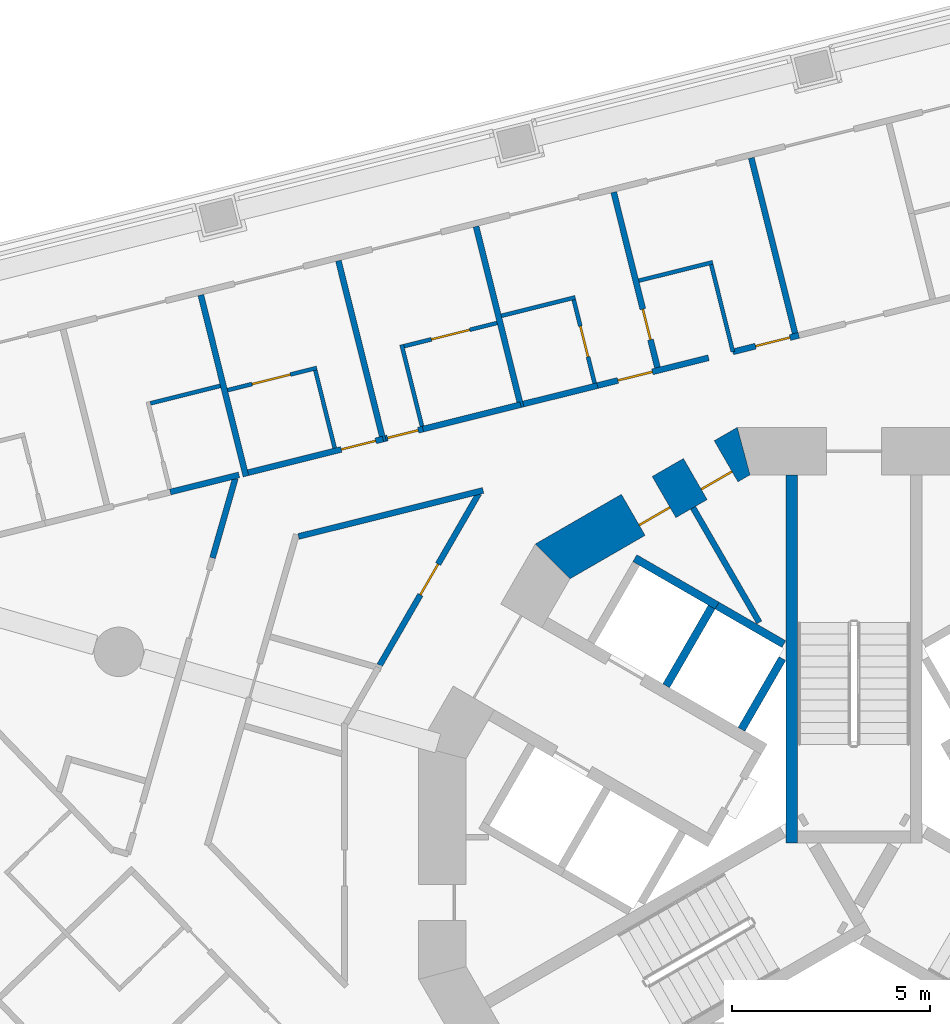
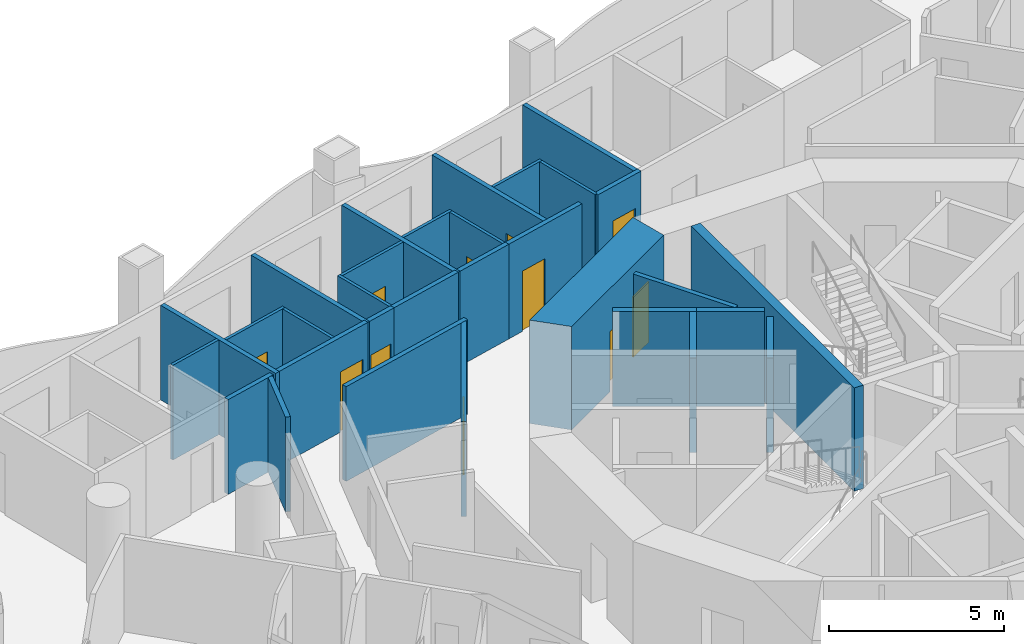
# One storey, part 8 of 20: 31 walls, 11 doors, 11 openings.
"""IFC4 building model written with IfcOpenShell, lengths in metres."""

import ifcopenshell
import ifcopenshell.guid

model = None  # the IFC model being written
_history = None  # IfcOwnerHistory: only IFC2X3 demands one
_inside = {}  # id of a spatial element -> (the spatial element, [elements in it])
_under = {}  # id of a project, library or spatial element -> (it, [spatial elements below it])
_declared = {}  # id of a project -> (the project, [libraries it declares])
_typed = {}  # id of a type object -> (the type object, [elements of that type])
_made_of = {}  # id of a material, layer set ... -> (it, [elements and type objects made of it])


def new_model(schema):
    """Start an empty IFC model of exactly this schema.

    Asked for "IFC4X3", IfcOpenShell would pick the latest addendum, in which some entities
    have other attributes; the version numbers below select the first issue.
    IFC2X3 requires an IfcOwnerHistory on every rooted entity: one is made here for all.
    """
    global model, _history
    if schema == "IFC4X3":
        model = ifcopenshell.file(schema_version=(4, 3, 0, 0))
    else:
        model = ifcopenshell.file(schema=schema)
    _inside.clear()
    _under.clear()
    _declared.clear()
    _typed.clear()
    _made_of.clear()
    _history = None
    if model.schema == "IFC2X3":
        org = make("IfcOrganization", Name="unknown")
        user = make(
            "IfcPersonAndOrganization",
            ThePerson=make("IfcPerson", FamilyName="unknown"),
            TheOrganization=org,
        )
        app = make(
            "IfcApplication",
            ApplicationDeveloper=org,
            Version="unknown",
            ApplicationFullName="unknown",
            ApplicationIdentifier="unknown",
        )
        _history = make(
            "IfcOwnerHistory",
            OwningUser=user,
            OwningApplication=app,
            ChangeAction="ADDED",
            CreationDate=0,
        )
    return model


def make(cls, **values):
    """One entity of the class cls with the attributes given. An attribute that is None is left unset."""
    return model.create_entity(
        cls, **{name: value for name, value in values.items() if value is not None}
    )


def rooted(cls, **values):
    """An entity with a GlobalId (a new one), such as an element, a storey or a relation."""
    return make(cls, GlobalId=ifcopenshell.guid.new(), OwnerHistory=_history, **values)


def si_unit(unit_type, name, prefix=None):
    """IfcSIUnit, for example si_unit("LENGTHUNIT", "METRE", prefix="MILLI")."""
    return make("IfcSIUnit", UnitType=unit_type, Prefix=prefix, Name=name)


def assignment(units):
    """IfcUnitAssignment: the units of a project."""
    return None if units is None else make("IfcUnitAssignment", Units=units)


def point(xyz):
    """IfcCartesianPoint."""
    return None if xyz is None else make("IfcCartesianPoint", Coordinates=xyz)


def direction(xyz):
    """IfcDirection."""
    return None if xyz is None else make("IfcDirection", DirectionRatios=xyz)


def frame(location, z_axis=None, x_axis=None):
    """IfcAxis2Placement3D, a coordinate frame: its origin and axes. An axis left out is left unset."""
    return make(
        "IfcAxis2Placement3D",
        Location=point(location),
        Axis=direction(z_axis),
        RefDirection=direction(x_axis),
    )


def frame_2d(location, x_axis=None):
    """IfcAxis2Placement2D, a coordinate frame in the plane: its origin and x axis."""
    return make(
        "IfcAxis2Placement2D", Location=point(location), RefDirection=direction(x_axis)
    )


def origin():
    """The frame at (0, 0, 0) with its axes left unset."""
    return frame((0.0, 0.0, 0.0))


def place(relative_to, where):
    """IfcLocalPlacement: puts the frame where relative to a parent placement (None: the world)."""
    return make(
        "IfcLocalPlacement", PlacementRelTo=relative_to, RelativePlacement=where
    )


def context(
    kind, dimensions, precision=None, world=None, true_north=None, identifier=None
):
    """IfcGeometricRepresentationContext, for example the 3D "Model" context."""
    return make(
        "IfcGeometricRepresentationContext",
        ContextIdentifier=identifier,
        ContextType=kind,
        CoordinateSpaceDimension=dimensions,
        Precision=precision,
        WorldCoordinateSystem=world,
        TrueNorth=true_north,
    )


def subcontext(parent, identifier, kind, view, scale=None):
    """IfcGeometricRepresentationSubContext, for example "Body" below "Model"."""
    return make(
        "IfcGeometricRepresentationSubContext",
        ContextIdentifier=identifier,
        ContextType=kind,
        ParentContext=parent,
        TargetScale=scale,
        TargetView=view,
    )


def project(units=None, contexts=None):
    """IfcProject with its units and contexts."""
    return rooted(
        "IfcProject",
        Name="project",
        RepresentationContexts=contexts,
        UnitsInContext=assignment(units),
    )


def spatial(cls, under=None, at=None, **own):
    """A site, building, storey or space (cls), placed at a placement, below another one or the project."""
    s = rooted(cls, ObjectPlacement=at, **own)
    if under is not None:
        _under.setdefault(under.id(), (under, []))[1].append(s)
    return s


def polyline(points):
    """IfcPolyline through the points."""
    return make("IfcPolyline", Points=[point(p) for p in points])


def profile(cls, at=None, kind="AREA", **sizes):
    """A parametric profile (cls). Its sizes go by their IFC names, for example OverallWidth=200.0."""
    return make(cls, ProfileType=kind, Position=at, **sizes)


def rectangle(**sizes):
    """IfcRectangleProfileDef."""
    return profile("IfcRectangleProfileDef", **sizes)


def outline(outer, holes=None, kind="AREA"):
    """IfcArbitraryClosedProfileDef: a profile drawn as a closed curve; with holes, ...WithVoids."""
    if holes is None:
        return make("IfcArbitraryClosedProfileDef", ProfileType=kind, OuterCurve=outer)
    return make(
        "IfcArbitraryProfileDefWithVoids",
        ProfileType=kind,
        OuterCurve=outer,
        InnerCurves=holes,
    )


def extrude(swept, where, along, depth):
    """IfcExtrudedAreaSolid: the profile swept, set in the frame where, extruded along a direction by depth."""
    return make(
        "IfcExtrudedAreaSolid",
        SweptArea=swept,
        Position=where,
        ExtrudedDirection=direction(along),
        Depth=depth,
    )


def shape(context_of_items, identifier, shape_type, items):
    """IfcShapeRepresentation: the items that make up one representation, for example the "Body"."""
    return make(
        "IfcShapeRepresentation",
        ContextOfItems=context_of_items,
        RepresentationIdentifier=identifier,
        RepresentationType=shape_type,
        Items=items,
    )


def material(Name=None, Category=None):
    """IfcMaterial."""
    return make("IfcMaterial", Name=Name, Category=Category)


def layer(
    of_material, thickness, ventilated=None, Name=None, Category=None, Priority=None
):
    """IfcMaterialLayer: one layer of a wall or slab, of a material (None: an air gap)."""
    return make(
        "IfcMaterialLayer",
        Material=of_material,
        LayerThickness=thickness,
        IsVentilated=ventilated,
        Name=Name,
        Category=Category,
        Priority=Priority,
    )


def layer_set(layers, Name=None):
    """IfcMaterialLayerSet."""
    return make("IfcMaterialLayerSet", MaterialLayers=layers, LayerSetName=Name)


def made_of(thing, what):
    """Note that an element or type object is made of a material, layer set ...; save() writes the relation."""
    if what is not None:
        _made_of.setdefault(what.id(), (what, []))[1].append(thing)
    return thing


def type_object(cls, material=None, **own):
    """A type object (cls), such as IfcWallType, which elements share."""
    return made_of(rooted(cls, **own), material)


def element(
    cls,
    number,
    at=None,
    inside=None,
    cuts=None,
    type_object=None,
    material=None,
    context=None,
    identifier="Body",
    shape_type=None,
    held_by="IfcProductDefinitionShape",
    body=None,
    shapes=None,
    **own,
):
    """One element of the class cls, such as IfcWall. Its Tag is "e" and its number.

    at: its placement. inside: the storey or other place that contains it. cuts: it is an
    opening in that element (IfcRelVoidsElement). A single representation is given by context,
    identifier, shape_type and body (its items); several are given by shapes. held_by: the class
    of the entity that holds the representations. save() writes the other relations.
    """
    e = rooted(cls, Tag="e%d" % number, ObjectPlacement=at, **own)
    if body is not None:
        shapes = [shape(context, identifier, shape_type, body)]
    if shapes is not None:
        e.Representation = make(held_by, Representations=shapes)
    if inside is not None:
        _inside.setdefault(inside.id(), (inside, []))[1].append(e)
    if cuts is not None:
        rooted(
            "IfcRelVoidsElement", RelatingBuildingElement=cuts, RelatedOpeningElement=e
        )
    if type_object is not None:
        _typed.setdefault(type_object.id(), (type_object, []))[1].append(e)
    return made_of(e, material)


def fill(opening, filler):
    """IfcRelFillsElement: the door or window that sits in an opening."""
    return rooted(
        "IfcRelFillsElement",
        RelatingOpeningElement=opening,
        RelatedBuildingElement=filler,
    )


def aggregate(whole, parts):
    """IfcRelAggregates: a whole, such as a stair, and the parts it consists of."""
    return rooted("IfcRelAggregates", RelatingObject=whole, RelatedObjects=parts)


def save(model, path):
    """Write the relations noted so far, then the file.

    IfcRelAggregates (storeys below a building ...), IfcRelContainedInSpatialStructure (elements
    in a storey), IfcRelDefinesByType, IfcRelAssociatesMaterial and IfcRelDeclares: one each for
    every whole, place, type object, material and project.
    """
    for whole, parts in _under.values():
        aggregate(whole, parts)
    for where, things in _inside.values():
        rooted(
            "IfcRelContainedInSpatialStructure",
            RelatedElements=things,
            RelatingStructure=where,
        )
    for kind, things in _typed.values():
        rooted("IfcRelDefinesByType", RelatedObjects=things, RelatingType=kind)
    for what, things in _made_of.values():
        rooted("IfcRelAssociatesMaterial", RelatedObjects=things, RelatingMaterial=what)
    for by, libraries in _declared.values():
        rooted("IfcRelDeclares", RelatingContext=by, RelatedDefinitions=libraries)
    model.write(path)


model = new_model("IFC4")

# Units and contexts
model_context = context("Model", 3, precision=1e-05, world=origin(), true_north=direction((0.0, 1.0)))
body_context = subcontext(model_context, "Body", "Model", "MODEL_VIEW")
ifc_project = project(units=[si_unit("LENGTHUNIT", "METRE"), si_unit("AREAUNIT", "SQUARE_METRE"), si_unit("VOLUMEUNIT", "CUBIC_METRE"), si_unit("PLANEANGLEUNIT", "RADIAN"), si_unit("MASSUNIT", "GRAM", prefix="KILO")], contexts=[model_context])

# Site, building, storey
site_placement = place(None, origin())
site = spatial("IfcSite", under=ifc_project, at=site_placement, CompositionType="ELEMENT")
building_placement = place(site_placement, origin())
building = spatial("IfcBuilding", under=site, at=building_placement, Name="Trine Commons Tower", CompositionType="ELEMENT")
storey_placement = place(building_placement, frame((0.0, 0.0, 112.5)))
storey = spatial("IfcBuildingStorey", under=building, at=storey_placement, Name="L28", CompositionType="ELEMENT", Elevation=112.5)

# Wall
ifc_material_1 = material(Name="Plasterboard partition on steel studs", Category="steel")
ifc_layer_1 = layer(ifc_material_1, 0.14990234375)
ifc_layer_set_1 = layer_set([ifc_layer_1], Name="Plasterboard partition on steel studs")
wall_type_1 = type_object("IfcWallType", Name="Core room partition 150 mm, EI 60", PredefinedType="PARTITIONING", material=ifc_layer_set_1)
wall_1_placement = place(storey_placement, frame((75.928955078125, 71.47900390625, 0.0), z_axis=(0.0, 0.0, 1.0), x_axis=(0.499985139611, -0.866033983264, 0.0)))
element("IfcWall", 1, at=wall_1_placement, inside=storey, type_object=wall_type_1, Name="Core room partition L28", PredefinedType="PARTITIONING", context=body_context, shape_type="SweptSolid", body=[
    extrude(rectangle(XDim=3.35205078125, YDim=0.14990234375, at=frame_2d((1.676025390625, 0.0))), origin(), (0.0, 0.0, 1.0), 3.300048828125),
])

# Wall, openings, doors
ifc_material_2 = material(Name="Concrete C70/85", Category="concrete")
ifc_layer_2 = layer(ifc_material_2, 1.199951171875)
ifc_layer_set_2 = layer_set([ifc_layer_2], Name="Concrete C70/85")
wall_type_2 = type_object("IfcWallType", Name="RC shear wall 1200 mm, C70/85", PredefinedType="SHEAR", material=ifc_layer_set_2)
wall_2_placement = place(storey_placement, frame((77.349609375, 72.991943359375, 0.0), z_axis=(0.0, 0.0, 1.0), x_axis=(-0.866037463336, -0.499979111662, 0.0)))
wall_2 = element("IfcWall", 2, at=wall_2_placement, inside=storey, type_object=wall_type_2, Name="Core wall CWC-05 L28", PredefinedType="SHEAR", context=body_context, shape_type="SweptSolid", body=[
    extrude(outline(polyline([(0.0, -0.60009765625), (5.901123046875, -0.60009765625), (5.57958984375, 0.60009765625), (0.321533203125, 0.60009765625), (0.0, -0.60009765625)])), origin(), (0.0, 0.0, 1.0), 3.60009765625),
])
opening_1_placement = place(wall_2_placement, frame((0.6748046875, 0.0, 0.0)))
opening_1 = element("IfcOpeningElement", 3, at=opening_1_placement, cuts=wall_2, Name="Opening K07.12", PredefinedType="OPENING", context=body_context, shape_type="SweptSolid", body=[
    extrude(rectangle(XDim=0.89990234375, YDim=2.10009765625, at=frame_2d((0.449951171875, 1.050048828125))), frame((0.0, 0.60986328125, 0.0), z_axis=(0.0, -1.0, 0.0), x_axis=(1.0, 0.0, 0.0)), (0.0, 0.0, 1.0), 1.219970703125),
])
opening_2_placement = place(wall_2_placement, frame((2.48681640625, 0.0, 0.0)))
opening_2 = element("IfcOpeningElement", 4, at=opening_2_placement, cuts=wall_2, Name="Opening K07.13", PredefinedType="OPENING", context=body_context, shape_type="SweptSolid", body=[
    extrude(rectangle(XDim=0.89990234375, YDim=2.10009765625, at=frame_2d((0.449951171875, 1.050048828125))), frame((0.0, 0.60986328125, 0.0), z_axis=(0.0, -1.0, 0.0), x_axis=(1.0, 0.0, 0.0)), (0.0, 0.0, 1.0), 1.219970703125),
])
ifc_material_3 = material(Name="Steel door leaf, fire-rated", Category="steel")
door_type_1 = type_object("IfcDoorType", Name="Core room door, single leaf 900 x 2100, FD30S", OperationType="SINGLE_SWING_LEFT", PredefinedType="DOOR", material=ifc_material_3)
door_1_placement = place(opening_1_placement, origin())
door_1 = element("IfcDoor", 5, at=door_1_placement, inside=storey, type_object=door_type_1, Name="Door to Pantry L28", OperationType="SINGLE_SWING_LEFT", OverallHeight=2.10009765625, OverallWidth=0.89990234375, PredefinedType="DOOR", context=body_context, shape_type="SweptSolid", body=[
    extrude(rectangle(XDim=0.89990234375, YDim=2.10009765625, at=frame_2d((0.449951171875, 1.050048828125))), frame((0.0, 0.3251953125, 0.0), z_axis=(0.0, -1.0, 0.0), x_axis=(1.0, 0.0, 0.0)), (0.0, 0.0, 1.0), 0.050048828125),
])
fill(opening_1, door_1)
door_2_placement = place(opening_2_placement, origin())
door_2 = element("IfcDoor", 6, at=door_2_placement, inside=storey, type_object=door_type_1, Name="Door to Comms room L28", OperationType="SINGLE_SWING_LEFT", OverallHeight=2.10009765625, OverallWidth=0.89990234375, PredefinedType="DOOR", context=body_context, shape_type="SweptSolid", body=[
    extrude(rectangle(XDim=0.89990234375, YDim=2.10009765625, at=frame_2d((0.449951171875, 1.050048828125))), frame((0.0, 0.3251953125, 0.0), z_axis=(0.0, -1.0, 0.0), x_axis=(1.0, 0.0, 0.0)), (0.0, 0.0, 1.0), 0.050048828125),
])
fill(opening_2, door_2)

# Walls
ifc_layer_3 = layer(ifc_material_2, 0.300048828125)
ifc_layer_set_3 = layer_set([ifc_layer_3], Name="Concrete C70/85")
wall_type_3 = type_object("IfcWallType", Name="RC shear wall 300 mm, C70/85", PredefinedType="SHEAR", material=ifc_layer_set_3)
wall_3_placement = place(storey_placement, frame((78.425048828125, 63.0009765625, 0.0), z_axis=(0.0, 0.0, 1.0), x_axis=(0.0, 1.0, 0.0)))
element("IfcWall", 7, at=wall_3_placement, inside=storey, type_object=wall_type_3, Name="Core cross wall SWA-08 L28", PredefinedType="SHEAR", context=body_context, shape_type="SweptSolid", body=[
    extrude(rectangle(XDim=9.31103515625, YDim=0.300048828125, at=frame_2d((4.655517578125, 0.0))), origin(), (0.0, 0.0, 1.0), 3.60009765625),
])
ifc_material_4 = material(Name="Fire-rated gypsum shaft wall system")
ifc_layer_4 = layer(ifc_material_4, 0.199951171875)
ifc_layer_set_4 = layer_set([ifc_layer_4], Name="Fire-rated gypsum shaft wall system")
wall_type_4 = type_object("IfcWallType", Name="Shaft wall 200 mm, EI 120", PredefinedType="PARTITIONING", material=ifc_layer_set_4)
wall_4_placement = place(storey_placement, frame((75.2509765625, 66.97412109375, 0.0), z_axis=(0.0, 0.0, 1.0), x_axis=(0.500136062276, 0.86594683394, 0.0)))
element("IfcWall", 8, at=wall_4_placement, inside=storey, type_object=wall_type_4, Name="Shaft wall L28", PredefinedType="PARTITIONING", context=body_context, shape_type="SweptSolid", body=[
    extrude(rectangle(XDim=2.299072265625, YDim=0.199951171875, at=frame_2d((1.1494140625, 0.0))), origin(), (0.0, 0.0, 1.0), 3.300048828125),
])
wall_5_placement = place(storey_placement, frame((76.5380859375, 69.001953125, 0.0), z_axis=(0.0, 0.0, 1.0), x_axis=(-0.866202511239, 0.499693115345, 0.0)))
element("IfcWall", 9, at=wall_5_placement, inside=storey, type_object=wall_type_4, Name="Shaft wall L28", PredefinedType="PARTITIONING", context=body_context, shape_type="SweptSolid", body=[
    extrude(rectangle(XDim=2.4013671875, YDim=0.199951171875, at=frame_2d((1.20068359375, 0.0))), origin(), (0.0, 0.0, 1.0), 3.300048828125),
])
wall_6_placement = place(storey_placement, frame((77.156005859375, 65.8740234375, 0.0), z_axis=(0.0, 0.0, 1.0), x_axis=(0.499865770674, 0.866102887253, 0.0)))
element("IfcWall", 10, at=wall_6_placement, inside=storey, type_object=wall_type_4, Name="Shaft wall L28", PredefinedType="PARTITIONING", context=body_context, shape_type="SweptSolid", body=[
    extrude(rectangle(XDim=2.064453125, YDim=0.199951171875, at=frame_2d((1.0322265625, 0.0))), origin(), (0.0, 0.0, 1.0), 3.300048828125),
])
wall_7_placement = place(storey_placement, frame((78.22509765625, 68.028076171875, 0.0), z_axis=(0.0, 0.0, 1.0), x_axis=(-0.866052014814, 0.499953905513, 0.0)))
element("IfcWall", 11, at=wall_7_placement, inside=storey, type_object=wall_type_4, Name="Shaft wall L28", PredefinedType="PARTITIONING", context=body_context, shape_type="SweptSolid", body=[
    extrude(rectangle(XDim=1.947998046875, YDim=0.199951171875, at=frame_2d((0.97412109375, 0.0))), origin(), (0.0, 0.0, 1.0), 3.300048828125),
])
ifc_material_5 = material(Name="Gypsum plasterboard on steel stud", Category="steel")
ifc_layer_5 = layer(ifc_material_5, 0.14990234375)
ifc_layer_set_5 = layer_set([ifc_layer_5], Name="Gypsum plasterboard on steel stud")
wall_type_5 = type_object("IfcWallType", Name="Unit and corridor wall 150 mm, EI 60", PredefinedType="PARTITIONING", material=ifc_layer_set_5)
wall_8_placement = place(storey_placement, frame((62.705078125, 71.8759765625, 0.0), z_axis=(0.0, 0.0, 1.0), x_axis=(0.970318656337, 0.241829909573, 0.0)))
element("IfcWall", 12, at=wall_8_placement, inside=storey, type_object=wall_type_5, Name="Partition 021", PredefinedType="PARTITIONING", context=body_context, shape_type="SweptSolid", body=[
    extrude(rectangle(XDim=1.791015625, YDim=0.14990234375, at=frame_2d((0.8955078125, 0.0))), origin(), (0.0, 0.0, 1.0), 3.300048828125),
])
wall_9_placement = place(storey_placement, frame((63.476806640625, 76.858154296875, 0.0), z_axis=(0.0, 0.0, 1.0), x_axis=(0.242049130854, -0.970263994103, 0.0)))
element("IfcWall", 13, at=wall_9_placement, inside=storey, type_object=wall_type_5, Name="Partition 022", PredefinedType="PARTITIONING", context=body_context, shape_type="SweptSolid", body=[
    extrude(rectangle(XDim=4.723388671875, YDim=0.14990234375, at=frame_2d((2.36181640625, 0.0))), origin(), (0.0, 0.0, 1.0), 3.300048828125),
])
wall_10_placement = place(storey_placement, frame((63.77392578125, 70.2099609375, 0.0), z_axis=(0.0, 0.0, 1.0), x_axis=(0.275353680299, 0.961342993289, 0.0)))
element("IfcWall", 14, at=wall_10_placement, inside=storey, type_object=wall_type_5, Name="Partition 025", PredefinedType="PARTITIONING", context=body_context, shape_type="SweptSolid", body=[
    extrude(rectangle(XDim=2.08984375, YDim=0.14990234375, at=frame_2d((1.044921875, 0.0))), origin(), (0.0, 0.0, 1.0), 3.300048828125),
])

# Wall, opening, door
wall_11_placement = place(storey_placement, frame((64.6708984375, 72.3662109375, 0.0), z_axis=(0.0, 0.0, 1.0), x_axis=(0.97035426046, 0.241687006697, 0.0)))
wall_11 = element("IfcWall", 15, at=wall_11_placement, inside=storey, type_object=wall_type_5, Name="Partition 028", PredefinedType="PARTITIONING", context=body_context, shape_type="SweptSolid", body=[
    extrude(rectangle(XDim=3.520263671875, YDim=0.14990234375, at=frame_2d((1.76025390625, 0.0))), origin(), (0.0, 0.0, 1.0), 3.300048828125),
])
opening_3_placement = place(wall_11_placement, frame((2.429931640625, 0.0, 0.0)))
opening_3 = element("IfcOpeningElement", 16, at=opening_3_placement, cuts=wall_11, Name="Opening D-3C09", PredefinedType="OPENING", context=body_context, shape_type="SweptSolid", body=[
    extrude(rectangle(XDim=0.89990234375, YDim=2.10009765625, at=frame_2d((0.449951171875, 1.050048828125))), frame((0.0, 0.0849609375, 0.0), z_axis=(0.0, -1.0, 0.0), x_axis=(1.0, 0.0, 0.0)), (0.0, 0.0, 1.0), 0.169921875),
])
ifc_material_6 = material(Name="Timber fire door set", Category="wood")
door_type_2 = type_object("IfcDoorType", Name="Bedroom door 900 x 2100, FD30S", OperationType="NOTDEFINED", PredefinedType="DOOR", material=ifc_material_6)
door_3_placement = place(opening_3_placement, origin())
door_3 = element("IfcDoor", 17, at=door_3_placement, inside=storey, type_object=door_type_2, Name="Door D-3C09", OperationType="SINGLE_SWING_RIGHT", OverallHeight=2.10009765625, OverallWidth=0.89990234375, PredefinedType="DOOR", context=body_context, shape_type="SweptSolid", body=[
    extrude(rectangle(XDim=0.89990234375, YDim=2.10009765625, at=frame_2d((0.449951171875, 1.050048828125))), frame((0.0, 0.02490234375, 0.0), z_axis=(0.0, -1.0, 0.0), x_axis=(1.0, 0.0, 0.0)), (0.0, 0.0, 1.0), 0.050048828125),
])
fill(opening_3, door_3)

# Walls
wall_12_placement = place(storey_placement, frame((65.94677734375, 70.751220703125, 0.0), z_axis=(0.0, 0.0, 1.0), x_axis=(0.970300367674, 0.241903279206, 0.0)))
element("IfcWall", 18, at=wall_12_placement, inside=storey, type_object=wall_type_5, Name="Partition 031", PredefinedType="PARTITIONING", context=body_context, shape_type="SweptSolid", body=[
    extrude(rectangle(XDim=4.815185546875, YDim=0.14990234375, at=frame_2d((2.40771484375, 0.0))), origin(), (0.0, 0.0, 1.0), 3.300048828125),
])
wall_13_placement = place(storey_placement, frame((66.958740234375, 77.726318359375, 0.0), z_axis=(0.0, 0.0, 1.0), x_axis=(0.24185448203, -0.970312531879, 0.0)))
element("IfcWall", 19, at=wall_13_placement, inside=storey, type_object=wall_type_5, Name="Partition 036", PredefinedType="PARTITIONING", context=body_context, shape_type="SweptSolid", body=[
    extrude(rectangle(XDim=4.72314453125, YDim=0.14990234375, at=frame_2d((2.361572265625, 0.0))), origin(), (0.0, 0.0, 1.0), 3.300048828125),
])

# Wall, opening, door
wall_14_placement = place(storey_placement, frame((68.00244140625, 67.493896484375, 0.0), z_axis=(0.0, 0.0, 1.0), x_axis=(0.499945814907, 0.866056685303, 0.0)))
wall_14 = element("IfcWall", 20, at=wall_14_placement, inside=storey, type_object=wall_type_5, Name="Partition 040", PredefinedType="PARTITIONING", context=body_context, shape_type="SweptSolid", body=[
    extrude(rectangle(XDim=5.0146484375, YDim=0.14990234375, at=frame_2d((2.50732421875, 0.0))), origin(), (0.0, 0.0, 1.0), 3.300048828125),
])
opening_4_placement = place(wall_14_placement, frame((2.057373046875, 0.0, 0.0)))
opening_4 = element("IfcOpeningElement", 21, at=opening_4_placement, cuts=wall_14, Name="Opening D-3C39", PredefinedType="OPENING", context=body_context, shape_type="SweptSolid", body=[
    extrude(rectangle(XDim=0.89990234375, YDim=2.10009765625, at=frame_2d((0.449951171875, 1.050048828125))), frame((0.0, 0.0849609375, 0.0), z_axis=(0.0, -1.0, 0.0), x_axis=(1.0, 0.0, 0.0)), (0.0, 0.0, 1.0), 0.169921875),
])
door_type_3 = type_object("IfcDoorType", Name="Service door 900 x 2100, FD30S", OperationType="NOTDEFINED", PredefinedType="DOOR", material=ifc_material_6)
door_4_placement = place(opening_4_placement, origin())
door_4 = element("IfcDoor", 22, at=door_4_placement, inside=storey, type_object=door_type_3, Name="Door D-3C39", OperationType="SINGLE_SWING_LEFT", OverallHeight=2.10009765625, OverallWidth=0.89990234375, PredefinedType="DOOR", context=body_context, shape_type="SweptSolid", body=[
    extrude(rectangle(XDim=0.89990234375, YDim=2.10009765625, at=frame_2d((0.449951171875, 1.050048828125))), frame((0.0, 0.02490234375, 0.0), z_axis=(0.0, -1.0, 0.0), x_axis=(1.0, 0.0, 0.0)), (0.0, 0.0, 1.0), 0.050048828125),
])
fill(opening_4, door_4)

wall_15_placement = place(storey_placement, frame((68.15185546875, 73.233154296875, 0.0), z_axis=(0.0, 0.0, 1.0), x_axis=(0.970127725802, 0.242594714762, 0.0)))
wall_15 = element("IfcWall", 23, at=wall_15_placement, inside=storey, type_object=wall_type_5, Name="Partition 041", PredefinedType="PARTITIONING", context=body_context, shape_type="SweptSolid", body=[
    extrude(rectangle(XDim=0.97216796875, YDim=0.14990234375, at=frame_2d((0.486083984375, 0.0))), origin(), (0.0, 0.0, 1.0), 3.300048828125),
])
opening_5_placement = place(wall_15_placement, frame((0.050048828125, 0.0, 0.0)))
opening_5 = element("IfcOpeningElement", 24, at=opening_5_placement, cuts=wall_15, Name="Opening D-3C10", PredefinedType="OPENING", context=body_context, shape_type="SweptSolid", body=[
    extrude(rectangle(XDim=0.800048828125, YDim=2.10009765625, at=frame_2d((0.39990234375, 1.050048828125))), frame((0.0, 0.0849609375, 0.0), z_axis=(0.0, -1.0, 0.0), x_axis=(1.0, 0.0, 0.0)), (0.0, 0.0, 1.0), 0.169921875),
])
door_type_4 = type_object("IfcDoorType", Name="Bedroom door 800 x 2100, FD30S", OperationType="NOTDEFINED", PredefinedType="DOOR", material=ifc_material_6)
door_5_placement = place(opening_5_placement, origin())
door_5 = element("IfcDoor", 25, at=door_5_placement, inside=storey, type_object=door_type_4, Name="Door D-3C10", OperationType="SINGLE_SWING_LEFT", OverallHeight=2.10009765625, OverallWidth=0.800048828125, PredefinedType="DOOR", context=body_context, shape_type="SweptSolid", body=[
    extrude(rectangle(XDim=0.800048828125, YDim=2.10009765625, at=frame_2d((0.39990234375, 1.050048828125))), frame((0.0, 0.02490234375, 0.0), z_axis=(0.0, -1.0, 0.0), x_axis=(1.0, 0.0, 0.0)), (0.0, 0.0, 1.0), 0.050048828125),
])
fill(opening_5, door_5)

# Walls
wall_16_placement = place(storey_placement, frame((69.0869140625, 73.467041015625, 0.0), z_axis=(0.0, 0.0, 1.0), x_axis=(0.970293884901, 0.241929280832, 0.0)))
element("IfcWall", 26, at=wall_16_placement, inside=storey, type_object=wall_type_5, Name="Partition 045", PredefinedType="PARTITIONING", context=body_context, shape_type="SweptSolid", body=[
    extrude(rectangle(XDim=2.55810546875, YDim=0.14990234375, at=frame_2d((1.279052734375, 0.0))), origin(), (0.0, 0.0, 1.0), 3.300048828125),
])
wall_17_placement = place(storey_placement, frame((70.440673828125, 78.59423828125, 0.0), z_axis=(0.0, 0.0, 1.0), x_axis=(0.241903012142, -0.970300434256, 0.0)))
element("IfcWall", 27, at=wall_17_placement, inside=storey, type_object=wall_type_5, Name="Partition 047", PredefinedType="PARTITIONING", context=body_context, shape_type="SweptSolid", body=[
    extrude(rectangle(XDim=4.72216796875, YDim=0.14990234375, at=frame_2d((2.361083984375, 0.0))), origin(), (0.0, 0.0, 1.0), 3.300048828125),
])
wall_18_placement = place(storey_placement, frame((71.6337890625, 74.10205078125, 0.0), z_axis=(0.0, 0.0, 1.0), x_axis=(0.970372376743, 0.241614259626, 0.0)))
element("IfcWall", 28, at=wall_18_placement, inside=storey, type_object=wall_type_5, Name="Partition 051", PredefinedType="PARTITIONING", context=body_context, shape_type="SweptSolid", body=[
    extrude(rectangle(XDim=1.93310546875, YDim=0.14990234375, at=frame_2d((0.966552734375, 0.0))), origin(), (0.0, 0.0, 1.0), 3.300048828125),
])

# Wall, opening, door
wall_19_placement = place(storey_placement, frame((73.452880859375, 74.555908203125, 0.0), z_axis=(0.0, 0.0, 1.0), x_axis=(0.97031709396, 0.24183617837, 0.0)))
wall_19 = element("IfcWall", 29, at=wall_19_placement, inside=storey, type_object=wall_type_5, Name="Partition 053", PredefinedType="PARTITIONING", context=body_context, shape_type="SweptSolid", body=[
    extrude(rectangle(XDim=2.95703125, YDim=0.14990234375, at=frame_2d((1.478515625, 0.0))), origin(), (0.0, 0.0, 1.0), 3.300048828125),
])
opening_6_placement = place(wall_19_placement, frame((0.591796875, 0.0, 0.0)))
opening_6 = element("IfcOpeningElement", 30, at=opening_6_placement, cuts=wall_19, Name="Opening D-3C11", PredefinedType="OPENING", context=body_context, shape_type="SweptSolid", body=[
    extrude(rectangle(XDim=0.89990234375, YDim=2.10009765625, at=frame_2d((0.449951171875, 1.050048828125))), frame((0.0, 0.0849609375, 0.0), z_axis=(0.0, -1.0, 0.0), x_axis=(1.0, 0.0, 0.0)), (0.0, 0.0, 1.0), 0.169921875),
])
door_6_placement = place(opening_6_placement, origin())
door_6 = element("IfcDoor", 31, at=door_6_placement, inside=storey, type_object=door_type_2, Name="Door D-3C11", OperationType="SINGLE_SWING_LEFT", OverallHeight=2.10009765625, OverallWidth=0.89990234375, PredefinedType="DOOR", context=body_context, shape_type="SweptSolid", body=[
    extrude(rectangle(XDim=0.89990234375, YDim=2.10009765625, at=frame_2d((0.449951171875, 1.050048828125))), frame((0.0, 0.02490234375, 0.0), z_axis=(0.0, -1.0, 0.0), x_axis=(1.0, 0.0, 0.0)), (0.0, 0.0, 1.0), 0.050048828125),
])
fill(opening_6, door_6)

wall_20_placement = place(storey_placement, frame((73.921630859375, 79.462158203125, 0.0), z_axis=(0.0, 0.0, 1.0), x_axis=(0.241945064156, -0.970289949412, 0.0)))
wall_20 = element("IfcWall", 32, at=wall_20_placement, inside=storey, type_object=wall_type_5, Name="Partition 054", PredefinedType="PARTITIONING", context=body_context, shape_type="SweptSolid", body=[
    extrude(rectangle(XDim=4.572021484375, YDim=0.14990234375, at=frame_2d((2.2861328125, 0.0))), origin(), (0.0, 0.0, 1.0), 3.300048828125),
])
opening_7_placement = place(wall_20_placement, frame((3.04931640625, 0.0, 0.0)))
opening_7 = element("IfcOpeningElement", 33, at=opening_7_placement, cuts=wall_20, Name="Opening D-3C48", PredefinedType="OPENING", context=body_context, shape_type="SweptSolid", body=[
    extrude(rectangle(XDim=0.800048828125, YDim=2.10009765625, at=frame_2d((0.39990234375, 1.050048828125))), frame((0.0, 0.0849609375, 0.0), z_axis=(0.0, -1.0, 0.0), x_axis=(1.0, 0.0, 0.0)), (0.0, 0.0, 1.0), 0.169921875),
])
ifc_material_7 = material(Name="Painted timber", Category="wood")
door_type_5 = type_object("IfcDoorType", Name="Internal door 800 x 2100, NOT RATED", OperationType="NOTDEFINED", PredefinedType="DOOR", material=ifc_material_7)
door_7_placement = place(opening_7_placement, frame((0.800048828125, 0.0, 0.0), z_axis=(0.0, 0.0, 1.0), x_axis=(-1.0, 0.0, 0.0)))
door_7 = element("IfcDoor", 34, at=door_7_placement, inside=storey, type_object=door_type_5, Name="Door D-3C48", OperationType="SINGLE_SWING_LEFT", OverallHeight=2.10009765625, OverallWidth=0.800048828125, PredefinedType="DOOR", context=body_context, shape_type="SweptSolid", body=[
    extrude(rectangle(XDim=0.800048828125, YDim=2.10009765625, at=frame_2d((0.39990234375, 1.050048828125))), frame((0.0, 0.02490234375, 0.0), z_axis=(0.0, -1.0, 0.0), x_axis=(1.0, 0.0, 0.0)), (0.0, 0.0, 1.0), 0.050048828125),
])
fill(opening_7, door_7)

wall_21_placement = place(storey_placement, frame((76.93408203125, 75.423095703125, 0.0), z_axis=(0.0, 0.0, 1.0), x_axis=(0.970234173919, 0.242168634963, 0.0)))
wall_21 = element("IfcWall", 35, at=wall_21_placement, inside=storey, type_object=wall_type_5, Name="Partition 062", PredefinedType="PARTITIONING", context=body_context, shape_type="SweptSolid", body=[
    extrude(rectangle(XDim=1.721923828125, YDim=0.14990234375, at=frame_2d((0.86083984375, 0.0))), origin(), (0.0, 0.0, 1.0), 3.300048828125),
])
opening_8_placement = place(wall_21_placement, frame((0.593017578125, 0.0, 0.0)))
opening_8 = element("IfcOpeningElement", 36, at=opening_8_placement, cuts=wall_21, Name="Opening D-3C12", PredefinedType="OPENING", context=body_context, shape_type="SweptSolid", body=[
    extrude(rectangle(XDim=0.89990234375, YDim=2.10009765625, at=frame_2d((0.449951171875, 1.050048828125))), frame((0.0, 0.0849609375, 0.0), z_axis=(0.0, -1.0, 0.0), x_axis=(1.0, 0.0, 0.0)), (0.0, 0.0, 1.0), 0.169921875),
])
door_8_placement = place(opening_8_placement, origin())
door_8 = element("IfcDoor", 37, at=door_8_placement, inside=storey, type_object=door_type_2, Name="Door D-3C12", OperationType="SINGLE_SWING_RIGHT", OverallHeight=2.10009765625, OverallWidth=0.89990234375, PredefinedType="DOOR", context=body_context, shape_type="SweptSolid", body=[
    extrude(rectangle(XDim=0.89990234375, YDim=2.10009765625, at=frame_2d((0.449951171875, 1.050048828125))), frame((0.0, 0.02490234375, 0.0), z_axis=(0.0, -1.0, 0.0), x_axis=(1.0, 0.0, 0.0)), (0.0, 0.0, 1.0), 0.050048828125),
])
fill(opening_8, door_8)

# Walls
wall_22_placement = place(storey_placement, frame((77.40380859375, 80.330078125, 0.0), z_axis=(0.0, 0.0, 1.0), x_axis=(0.241945064156, -0.970289949412, 0.0)))
element("IfcWall", 38, at=wall_22_placement, inside=storey, type_object=wall_type_5, Name="Partition 063", PredefinedType="PARTITIONING", context=body_context, shape_type="SweptSolid", body=[
    extrude(rectangle(XDim=4.572021484375, YDim=0.14990234375, at=frame_2d((2.2861328125, 0.0))), origin(), (0.0, 0.0, 1.0), 3.300048828125),
])
ifc_layer_6 = layer(ifc_material_5, 0.10009765625)
ifc_layer_set_6 = layer_set([ifc_layer_6], Name="Gypsum plasterboard on steel stud")
wall_type_6 = type_object("IfcWallType", Name="Unit partition 100 mm, no rating", PredefinedType="PARTITIONING", material=ifc_layer_set_6)
wall_23_placement = place(storey_placement, frame((62.201416015625, 74.1201171875, 0.0), z_axis=(0.0, 0.0, 1.0), x_axis=(0.970276128406, 0.242000484804, 0.0)))
element("IfcWall", 39, at=wall_23_placement, inside=storey, type_object=wall_type_6, Name="Partition 020", PredefinedType="PARTITIONING", context=body_context, shape_type="SweptSolid", body=[
    extrude(rectangle(XDim=1.824951171875, YDim=0.10009765625, at=frame_2d((0.91259765625, 0.0))), origin(), (0.0, 0.0, 1.0), 3.300048828125),
])

# Wall, opening, door
wall_24_placement = place(storey_placement, frame((64.15380859375, 74.453125, 0.0), z_axis=(0.0, 0.0, 1.0), x_axis=(0.970358256462, 0.241670962499, 0.0)))
wall_24 = element("IfcWall", 40, at=wall_24_placement, inside=storey, type_object=wall_type_6, Name="Partition 026", PredefinedType="PARTITIONING", context=body_context, shape_type="SweptSolid", body=[
    extrude(rectangle(XDim=2.325439453125, YDim=0.10009765625, at=frame_2d((1.16259765625, 0.0))), origin(), (0.0, 0.0, 1.0), 3.300048828125),
])
opening_9_placement = place(wall_24_placement, frame((0.6376953125, 0.0, 0.0)))
opening_9 = element("IfcOpeningElement", 41, at=opening_9_placement, cuts=wall_24, Name="Opening D-3C45", PredefinedType="OPENING", context=body_context, shape_type="SweptSolid", body=[
    extrude(rectangle(XDim=1.0, YDim=2.10009765625, at=frame_2d((0.5, 1.050048828125))), frame((0.0, 0.06005859375, 0.0), z_axis=(0.0, -1.0, 0.0), x_axis=(1.0, 0.0, 0.0)), (0.0, 0.0, 1.0), 0.1201171875),
])
door_type_6 = type_object("IfcDoorType", Name="Internal door 1000 x 2100, NOT RATED", OperationType="NOTDEFINED", PredefinedType="DOOR", material=ifc_material_7)
door_9_placement = place(opening_9_placement, origin())
door_9 = element("IfcDoor", 42, at=door_9_placement, inside=storey, type_object=door_type_6, Name="Door D-3C45", OperationType="SINGLE_SWING_LEFT", OverallHeight=2.10009765625, OverallWidth=1.0, PredefinedType="DOOR", context=body_context, shape_type="SweptSolid", body=[
    extrude(rectangle(XDim=1.0, YDim=2.10009765625, at=frame_2d((0.5, 1.050048828125))), frame((0.0, 0.02490234375, 0.0), z_axis=(0.0, -1.0, 0.0), x_axis=(1.0, 0.0, 0.0)), (0.0, 0.0, 1.0), 0.050048828125),
])
fill(opening_9, door_9)

# Walls
wall_25_placement = place(storey_placement, frame((66.3740234375, 74.95458984375, 0.0), z_axis=(0.0, 0.0, 1.0), x_axis=(0.241968232274, -0.97028417207, 0.0)))
element("IfcWall", 43, at=wall_25_placement, inside=storey, type_object=wall_type_6, Name="Partition 034", PredefinedType="PARTITIONING", context=body_context, shape_type="SweptSolid", body=[
    extrude(rectangle(XDim=2.02490234375, YDim=0.10009765625, at=frame_2d((1.012451171875, 0.0))), origin(), (0.0, 0.0, 1.0), 3.300048828125),
])
wall_26_placement = place(storey_placement, frame((68.557861328125, 75.6025390625, 0.0), z_axis=(0.0, 0.0, 1.0), x_axis=(0.242292331662, -0.970203291078, 0.0)))
element("IfcWall", 44, at=wall_26_placement, inside=storey, type_object=wall_type_6, Name="Partition 043", PredefinedType="PARTITIONING", context=body_context, shape_type="SweptSolid", body=[
    extrude(rectangle(XDim=2.125, YDim=0.10009765625, at=frame_2d((1.0625, 0.0))), origin(), (0.0, 0.0, 1.0), 3.300048828125),
])

# Wall, opening, door
wall_27_placement = place(storey_placement, frame((68.618408203125, 75.566162109375, 0.0), z_axis=(0.0, 0.0, 1.0), x_axis=(0.970313944808, 0.241848813336, 0.0)))
wall_27 = element("IfcWall", 45, at=wall_27_placement, inside=storey, type_object=wall_type_6, Name="Partition 044", PredefinedType="PARTITIONING", context=body_context, shape_type="SweptSolid", body=[
    extrude(rectangle(XDim=2.42578125, YDim=0.10009765625, at=frame_2d((1.212890625, 0.0))), origin(), (0.0, 0.0, 1.0), 3.300048828125),
])
opening_10_placement = place(wall_27_placement, frame((0.712890625, 0.0, 0.0)))
opening_10 = element("IfcOpeningElement", 46, at=opening_10_placement, cuts=wall_27, Name="Opening D-3C46", PredefinedType="OPENING", context=body_context, shape_type="SweptSolid", body=[
    extrude(rectangle(XDim=1.0, YDim=2.10009765625, at=frame_2d((0.5, 1.050048828125))), frame((0.0, 0.06005859375, 0.0), z_axis=(0.0, -1.0, 0.0), x_axis=(1.0, 0.0, 0.0)), (0.0, 0.0, 1.0), 0.1201171875),
])
door_10_placement = place(opening_10_placement, origin())
door_10 = element("IfcDoor", 47, at=door_10_placement, inside=storey, type_object=door_type_6, Name="Door D-3C46", OperationType="SINGLE_SWING_RIGHT", OverallHeight=2.10009765625, OverallWidth=1.0, PredefinedType="DOOR", context=body_context, shape_type="SweptSolid", body=[
    extrude(rectangle(XDim=1.0, YDim=2.10009765625, at=frame_2d((0.5, 1.050048828125))), frame((0.0, 0.02490234375, 0.0), z_axis=(0.0, -1.0, 0.0), x_axis=(1.0, 0.0, 0.0)), (0.0, 0.0, 1.0), 0.050048828125),
])
fill(opening_10, door_10)

# Wall
wall_28_placement = place(storey_placement, frame((71.080810546875, 76.334228515625, 0.0), z_axis=(0.0, 0.0, 1.0), x_axis=(0.970276645771, 0.241998410475, 0.0)))
element("IfcWall", 48, at=wall_28_placement, inside=storey, type_object=wall_type_6, Name="Partition 049", PredefinedType="PARTITIONING", context=body_context, shape_type="SweptSolid", body=[
    extrude(rectangle(XDim=1.9248046875, YDim=0.10009765625, at=frame_2d((0.96240234375, 0.0))), origin(), (0.0, 0.0, 1.0), 3.300048828125),
])

# Wall, opening, door
wall_29_placement = place(storey_placement, frame((72.912109375, 76.739501953125, 0.0), z_axis=(0.0, 0.0, 1.0), x_axis=(0.242086666909, -0.970254629314, 0.0)))
wall_29 = element("IfcWall", 49, at=wall_29_placement, inside=storey, type_object=wall_type_6, Name="Partition 052", PredefinedType="PARTITIONING", context=body_context, shape_type="SweptSolid", body=[
    extrude(rectangle(XDim=2.17529296875, YDim=0.10009765625, at=frame_2d((1.087646484375, 0.0))), origin(), (0.0, 0.0, 1.0), 3.300048828125),
])
opening_11_placement = place(wall_29_placement, frame((0.687744140625, 0.0, 0.0)))
opening_11 = element("IfcOpeningElement", 50, at=opening_11_placement, cuts=wall_29, Name="Opening D-3C47", PredefinedType="OPENING", context=body_context, shape_type="SweptSolid", body=[
    extrude(rectangle(XDim=0.800048828125, YDim=2.10009765625, at=frame_2d((0.39990234375, 1.050048828125))), frame((0.0, 0.06005859375, 0.0), z_axis=(0.0, -1.0, 0.0), x_axis=(1.0, 0.0, 0.0)), (0.0, 0.0, 1.0), 0.1201171875),
])
door_11_placement = place(opening_11_placement, origin())
door_11 = element("IfcDoor", 51, at=door_11_placement, inside=storey, type_object=door_type_5, Name="Door D-3C47", OperationType="SINGLE_SWING_RIGHT", OverallHeight=2.10009765625, OverallWidth=0.800048828125, PredefinedType="DOOR", context=body_context, shape_type="SweptSolid", body=[
    extrude(rectangle(XDim=0.800048828125, YDim=2.10009765625, at=frame_2d((0.39990234375, 1.050048828125))), frame((0.0, 0.02490234375, 0.0), z_axis=(0.0, -1.0, 0.0), x_axis=(1.0, 0.0, 0.0)), (0.0, 0.0, 1.0), 0.050048828125),
])
fill(opening_11, door_11)

# Walls
wall_30_placement = place(storey_placement, frame((74.557861328125, 77.22314453125, 0.0), z_axis=(0.0, 0.0, 1.0), x_axis=(0.97039566761, 0.241520699494, 0.0)))
element("IfcWall", 52, at=wall_30_placement, inside=storey, type_object=wall_type_6, Name="Partition 055", PredefinedType="PARTITIONING", context=body_context, shape_type="SweptSolid", body=[
    extrude(rectangle(XDim=1.924560546875, YDim=0.10009765625, at=frame_2d((0.96240234375, 0.0))), origin(), (0.0, 0.0, 1.0), 3.300048828125),
])
wall_31_placement = place(storey_placement, frame((76.38916015625, 77.62744140625, 0.0), z_axis=(0.0, 0.0, 1.0), x_axis=(0.24170068881, -0.970350852542, 0.0)))
element("IfcWall", 53, at=wall_31_placement, inside=storey, type_object=wall_type_6, Name="Partition 059", PredefinedType="PARTITIONING", context=body_context, shape_type="SweptSolid", body=[
    extrude(rectangle(XDim=2.270751953125, YDim=0.10009765625, at=frame_2d((1.13525390625, 0.0))), origin(), (0.0, 0.0, 1.0), 3.300048828125),
])

save(model, "model.ifc")
